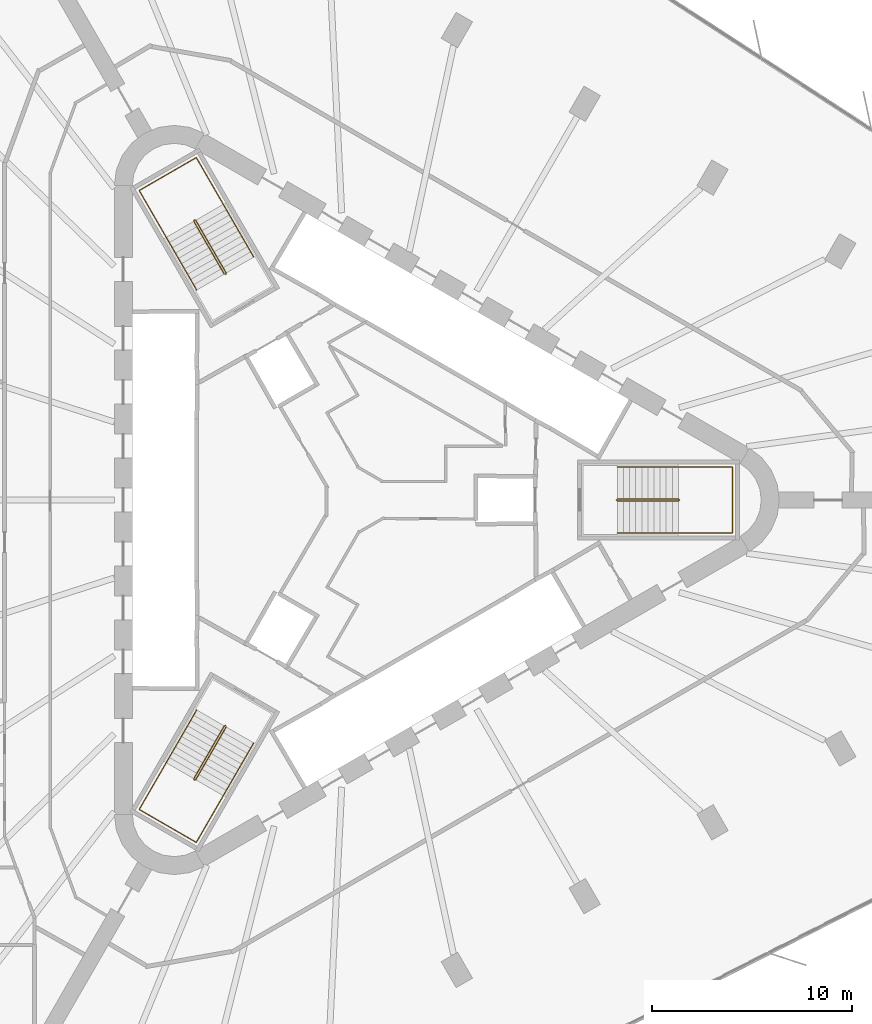
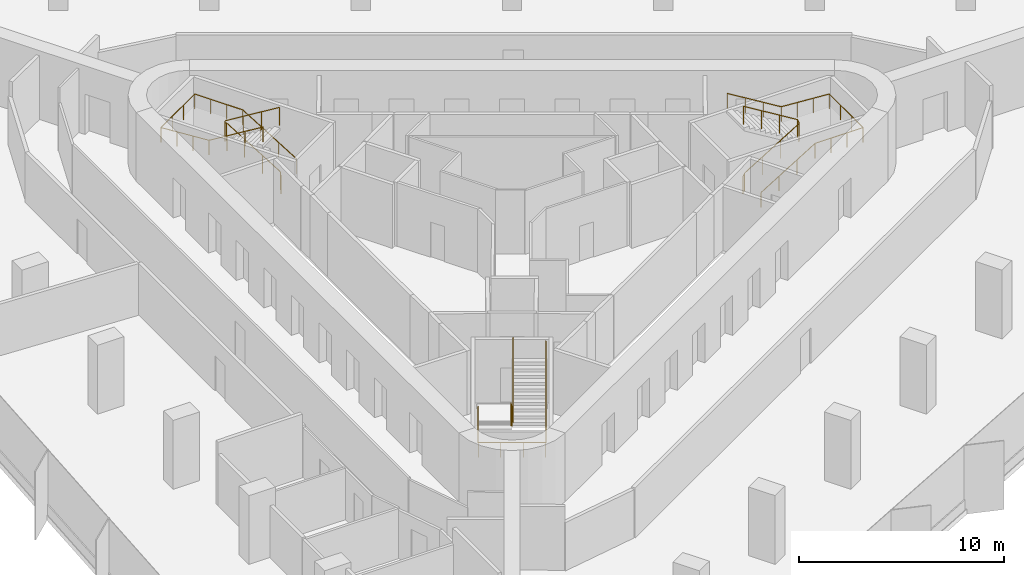
# One storey, part 14 of 14: 6 railings.
"""IFC4 building model written with IfcOpenShell, lengths in metres."""

from ifc_helpers import new_model, si_unit, direction, frame, origin, origin_2d, place, context, subcontext, project, spatial, circle, extrude, material, type_object, element, save


model = new_model("IFC4")

# Units and contexts
model_context = context("Model", 3, precision=1e-05, world=origin(), true_north=direction((0.0, 1.0)))
body_context = subcontext(model_context, "Body", "Model", "MODEL_VIEW")
ifc_project = project(units=[si_unit("LENGTHUNIT", "METRE"), si_unit("AREAUNIT", "SQUARE_METRE"), si_unit("VOLUMEUNIT", "CUBIC_METRE"), si_unit("PLANEANGLEUNIT", "RADIAN"), si_unit("MASSUNIT", "GRAM", prefix="KILO")], contexts=[model_context])

# Site, building, storey
site_placement = place(None, origin())
site = spatial("IfcSite", under=ifc_project, at=site_placement, CompositionType="ELEMENT")
building_placement = place(site_placement, origin())
building = spatial("IfcBuilding", under=site, at=building_placement, Name="Tanit Gate Tower", CompositionType="ELEMENT")
storey_placement = place(building_placement, frame((0.0, 0.0, 111.10009765625)))
storey = spatial("IfcBuildingStorey", under=building, at=storey_placement, Name="L23", CompositionType="ELEMENT", Elevation=111.10009765625)

# Railings
ifc_material_1 = material(Name="Stainless steel balustrade", Category="steel")
railing_type_1 = type_object("IfcRailingType", Name="INT-STAIR-GUARD", PredefinedType="GUARDRAIL", material=ifc_material_1)
railing_1_placement = place(storey_placement, frame((13.044921875, 0.0048828125, 0.0)))
element("IfcRailing", 1, at=railing_1_placement, inside=storey, type_object=railing_type_1, Name="L23 S1 stair guard 1", PredefinedType="GUARDRAIL", context=body_context, shape_type="SweptSolid", body=[
    extrude(circle(Radius=0.02392578125, at=origin_2d()), frame((0.0, 0.0, 1.076171875), z_axis=(0.0, -1.0, 0.0), x_axis=(1.0, 0.0, 0.0)), (0.0, 0.0, 1.0), 0.009765625),
    extrude(circle(Radius=0.02392578125, at=origin_2d()), frame((0.0, -0.009765625, 1.076171875), z_axis=(0.251157038772, -0.251157038772, 0.934794246747), x_axis=(0.707106781187, 0.707106781187, 0.0)), (0.0, 0.0, 1.0), 0.19921875),
    extrude(circle(Radius=0.02392578125, at=origin_2d()), frame((0.050048828125, -0.059814453125, 1.26220703125), z_axis=(0.853405036568, 0.0, 0.521248351134), x_axis=(0.0, 1.0, 0.0)), (0.0, 0.0, 1.0), 3.5751953125),
    extrude(circle(Radius=0.02392578125, at=origin_2d()), frame((3.10107421875, -0.059814453125, 3.1259765625), z_axis=(0.707106781187, 0.707106781187, 0.0), x_axis=(-0.707106781187, 0.707106781187, 0.0)), (0.0, 0.0, 1.0), 0.07080078125),
    extrude(circle(Radius=0.02392578125, at=origin_2d()), frame((3.151123046875, -0.009765625, 3.1259765625), z_axis=(0.0, 1.0, 0.0), x_axis=(-1.0, 0.0, 0.0)), (0.0, 0.0, 1.0), 0.009765625),
    extrude(circle(Radius=0.02392578125, at=origin_2d()), frame((3.151123046875, 0.0, 3.1259765625), z_axis=(-0.250869701741, 0.250869701741, 0.934948546978), x_axis=(-0.707106781187, -0.707106781187, 0.0)), (0.0, 0.0, 1.0), 0.199462890625),
    extrude(circle(Radius=0.02392578125, at=origin_2d()), frame((3.10107421875, 0.050048828125, 3.3125), z_axis=(-0.853405036568, 0.0, 0.521248351134), x_axis=(0.0, -1.0, 0.0)), (0.0, 0.0, 1.0), 3.5751953125),
    extrude(circle(Radius=0.02099609375, at=origin_2d()), origin(), (0.0, 0.0, 1.0), 1.052001953125),
    extrude(circle(Radius=0.02099609375, at=origin_2d()), frame((0.0, -0.009765625, 0.0)), (0.0, 0.0, 1.0), 1.052001953125),
    extrude(circle(Radius=0.02099609375, at=origin_2d()), frame((0.050048828125, -0.059814453125, 0.186279296875)), (0.0, 0.0, 1.0), 1.052001953125),
    extrude(circle(Radius=0.02099609375, at=origin_2d()), frame((1.067138671875, -0.059814453125, 0.807373046875)), (0.0, 0.0, 1.0), 1.052001953125),
    extrude(circle(Radius=0.02099609375, at=origin_2d()), frame((2.083984375, -0.059814453125, 1.4287109375)), (0.0, 0.0, 1.0), 1.052001953125),
    extrude(circle(Radius=0.02099609375, at=origin_2d()), frame((3.10107421875, -0.059814453125, 2.0498046875)), (0.0, 0.0, 1.0), 1.052001953125),
    extrude(circle(Radius=0.02099609375, at=origin_2d()), frame((3.151123046875, -0.009765625, 2.0498046875)), (0.0, 0.0, 1.0), 1.052001953125),
    extrude(circle(Radius=0.02099609375, at=origin_2d()), frame((3.151123046875, 0.0, 2.0498046875)), (0.0, 0.0, 1.0), 1.052001953125),
    extrude(circle(Radius=0.02099609375, at=origin_2d()), frame((3.10107421875, 0.050048828125, 2.236328125)), (0.0, 0.0, 1.0), 1.052001953125),
    extrude(circle(Radius=0.02099609375, at=origin_2d()), frame((2.083984375, 0.050048828125, 2.857421875)), (0.0, 0.0, 1.0), 1.052001953125),
    extrude(circle(Radius=0.02099609375, at=origin_2d()), frame((1.067138671875, 0.050048828125, 3.478759765625)), (0.0, 0.0, 1.0), 1.052001953125),
    extrude(circle(Radius=0.02099609375, at=origin_2d()), frame((0.050048828125, 0.050048828125, 4.099853515625)), (0.0, 0.0, 1.0), 1.052001953125),
])
railing_2_placement = place(storey_placement, frame((-6.527099609375, 11.29345703125, 0.0)))
element("IfcRailing", 2, at=railing_2_placement, inside=storey, type_object=railing_type_1, Name="L23 S2 stair guard 1", PredefinedType="GUARDRAIL", context=body_context, shape_type="SweptSolid", body=[
    extrude(circle(Radius=0.02392578125, at=origin_2d()), frame((0.0, 0.0, 1.076171875), z_axis=(0.868243142124, 0.496138938357, 0.0), x_axis=(-0.496138938357, 0.868243142124, 0.0)), (0.0, 0.0, 1.0), 0.01171875),
    extrude(circle(Radius=0.02392578125, at=origin_2d()), frame((0.01025390625, 0.005859375, 1.076171875), z_axis=(0.091888445584, 0.343050196848, 0.93481178641), x_axis=(-0.965948051503, 0.258736085224, 0.0)), (0.0, 0.0, 1.0), 0.19921875),
    extrude(circle(Radius=0.02392578125, at=origin_2d()), frame((0.028564453125, 0.07421875, 1.26220703125), z_axis=(-0.426651696395, 0.73893750972, 0.521478366466), x_axis=(-0.866012246495, -0.500022788402, 0.0)), (0.0, 0.0, 1.0), 3.573486328125),
    extrude(circle(Radius=0.02392578125, at=origin_2d()), frame((-1.49609375, 2.71484375, 3.1259765625), z_axis=(-0.965715946433, 0.259601060869, 0.0), x_axis=(-0.259601060869, -0.965715946433, 0.0)), (0.0, 0.0, 1.0), 0.070556640625),
    extrude(circle(Radius=0.02392578125, at=origin_2d()), frame((-1.564208984375, 2.733154296875, 3.1259765625), z_axis=(-0.873197702015, -0.487366159264, 0.0), x_axis=(0.487366159264, -0.873197702015, 0.0)), (0.0, 0.0, 1.0), 0.011962890625),
    extrude(circle(Radius=0.02392578125, at=origin_2d()), frame((-1.57470703125, 2.727294921875, 3.1259765625), z_axis=(-0.09178331637, -0.342657714447, 0.934966049419), x_axis=(0.965948051503, -0.258736085224, 0.0)), (0.0, 0.0, 1.0), 0.199462890625),
    extrude(circle(Radius=0.02392578125, at=origin_2d()), frame((-1.593017578125, 2.658935546875, 3.3125), z_axis=(0.426651696395, -0.73893750972, 0.521478366466), x_axis=(0.866012246495, 0.500022788402, 0.0)), (0.0, 0.0, 1.0), 3.573486328125),
    extrude(circle(Radius=0.02099609375, at=origin_2d()), origin(), (0.0, 0.0, 1.0), 1.052001953125),
    extrude(circle(Radius=0.02099609375, at=origin_2d()), frame((0.01025390625, 0.005859375, 0.0)), (0.0, 0.0, 1.0), 1.052001953125),
    extrude(circle(Radius=0.02099609375, at=origin_2d()), frame((0.028564453125, 0.07421875, 0.186279296875)), (0.0, 0.0, 1.0), 1.052001953125),
    extrude(circle(Radius=0.02099609375, at=origin_2d()), frame((-0.479736328125, 0.954345703125, 0.807373046875)), (0.0, 0.0, 1.0), 1.052001953125),
    extrude(circle(Radius=0.02099609375, at=origin_2d()), frame((-0.98779296875, 1.834716796875, 1.4287109375)), (0.0, 0.0, 1.0), 1.052001953125),
    extrude(circle(Radius=0.02099609375, at=origin_2d()), frame((-1.49609375, 2.71484375, 2.0498046875)), (0.0, 0.0, 1.0), 1.052001953125),
    extrude(circle(Radius=0.02099609375, at=origin_2d()), frame((-1.564208984375, 2.733154296875, 2.0498046875)), (0.0, 0.0, 1.0), 1.052001953125),
    extrude(circle(Radius=0.02099609375, at=origin_2d()), frame((-1.57470703125, 2.727294921875, 2.0498046875)), (0.0, 0.0, 1.0), 1.052001953125),
    extrude(circle(Radius=0.02099609375, at=origin_2d()), frame((-1.593017578125, 2.658935546875, 2.236328125)), (0.0, 0.0, 1.0), 1.052001953125),
    extrude(circle(Radius=0.02099609375, at=origin_2d()), frame((-1.084716796875, 1.77880859375, 2.857421875)), (0.0, 0.0, 1.0), 1.052001953125),
    extrude(circle(Radius=0.02099609375, at=origin_2d()), frame((-0.57666015625, 0.8984375, 3.478759765625)), (0.0, 0.0, 1.0), 1.052001953125),
    extrude(circle(Radius=0.02099609375, at=origin_2d()), frame((-0.068359375, 0.018310546875, 4.099853515625)), (0.0, 0.0, 1.0), 1.052001953125),
])
railing_3_placement = place(storey_placement, frame((-6.51806640625, -11.2998046875, 0.0)))
element("IfcRailing", 3, at=railing_3_placement, inside=storey, type_object=railing_type_1, Name="L23 S3 stair guard 1", PredefinedType="GUARDRAIL", context=body_context, shape_type="SweptSolid", body=[
    extrude(circle(Radius=0.02392578125, at=origin_2d()), frame((0.0, 0.0, 1.076171875), z_axis=(-0.874157276122, 0.485642931179, 0.0), x_axis=(-0.485642931179, -0.874157276122, 0.0)), (0.0, 0.0, 1.0), 0.010009765625),
    extrude(circle(Radius=0.02392578125, at=origin_2d()), frame((-0.0087890625, 0.0048828125, 1.076171875), z_axis=(-0.343088566343, -0.090673406819, 0.934916343285), x_axis=(0.255512919477, -0.966805641264, 0.0)), (0.0, 0.0, 1.0), 0.19921875),
    extrude(circle(Radius=0.02392578125, at=origin_2d()), frame((-0.0771484375, -0.01318359375, 1.26220703125), z_axis=(-0.426668548982, -0.73908990167, 0.521248565042), x_axis=(0.866048339477, -0.499960272111, 0.0)), (0.0, 0.0, 1.0), 3.5751953125),
    extrude(circle(Radius=0.02392578125, at=origin_2d()), frame((-1.6025390625, -2.655517578125, 3.1259765625), z_axis=(0.258736085224, -0.965948051503, 0.0), x_axis=(0.965948051503, 0.258736085224, 0.0)), (0.0, 0.0, 1.0), 0.07080078125),
    extrude(circle(Radius=0.02392578125, at=origin_2d()), frame((-1.584228515625, -2.723876953125, 3.1259765625), z_axis=(0.868243142124, -0.496138938357, 0.0), x_axis=(0.496138938357, 0.868243142124, 0.0)), (0.0, 0.0, 1.0), 0.009765625),
    extrude(circle(Radius=0.02392578125, at=origin_2d()), frame((-1.57568359375, -2.728759765625, 3.1259765625), z_axis=(0.342657714447, 0.09178331637, 0.934966049419), x_axis=(-0.258736085224, 0.965948051503, 0.0)), (0.0, 0.0, 1.0), 0.199462890625),
    extrude(circle(Radius=0.02392578125, at=origin_2d()), frame((-1.50732421875, -2.71044921875, 3.3125), z_axis=(0.426745940485, 0.73903737685, 0.521259683745), x_axis=(-0.865993683553, 0.500054937028, 0.0)), (0.0, 0.0, 1.0), 3.574951171875),
    extrude(circle(Radius=0.02099609375, at=origin_2d()), origin(), (0.0, 0.0, 1.0), 1.052001953125),
    extrude(circle(Radius=0.02099609375, at=origin_2d()), frame((-0.0087890625, 0.0048828125, 0.0)), (0.0, 0.0, 1.0), 1.052001953125),
    extrude(circle(Radius=0.02099609375, at=origin_2d()), frame((-0.0771484375, -0.01318359375, 0.186279296875)), (0.0, 0.0, 1.0), 1.052001953125),
    extrude(circle(Radius=0.02099609375, at=origin_2d()), frame((-0.585693359375, -0.89404296875, 0.807373046875)), (0.0, 0.0, 1.0), 1.052001953125),
    extrude(circle(Radius=0.02099609375, at=origin_2d()), frame((-1.093994140625, -1.774658203125, 1.4287109375)), (0.0, 0.0, 1.0), 1.052001953125),
    extrude(circle(Radius=0.02099609375, at=origin_2d()), frame((-1.6025390625, -2.655517578125, 2.0498046875)), (0.0, 0.0, 1.0), 1.052001953125),
    extrude(circle(Radius=0.02099609375, at=origin_2d()), frame((-1.584228515625, -2.723876953125, 2.0498046875)), (0.0, 0.0, 1.0), 1.052001953125),
    extrude(circle(Radius=0.02099609375, at=origin_2d()), frame((-1.57568359375, -2.728759765625, 2.0498046875)), (0.0, 0.0, 1.0), 1.052001953125),
    extrude(circle(Radius=0.02099609375, at=origin_2d()), frame((-1.50732421875, -2.71044921875, 2.236328125)), (0.0, 0.0, 1.0), 1.052001953125),
    extrude(circle(Radius=0.02099609375, at=origin_2d()), frame((-0.998779296875, -1.829833984375, 2.857421875)), (0.0, 0.0, 1.0), 1.052001953125),
    extrude(circle(Radius=0.02099609375, at=origin_2d()), frame((-0.490234375, -0.948974609375, 3.478759765625)), (0.0, 0.0, 1.0), 1.052001953125),
    extrude(circle(Radius=0.02099609375, at=origin_2d()), frame((0.018310546875, -0.068359375, 4.099853515625)), (0.0, 0.0, 1.0), 1.052001953125),
])
ifc_material_2 = material(Name="Stainless steel handrail", Category="steel")
railing_type_2 = type_object("IfcRailingType", Name="INT-STAIR-HANDRAIL", PredefinedType="HANDRAIL", material=ifc_material_2)
railing_4_placement = place(storey_placement, frame((13.094970703125, -1.64990234375, 0.186279296875)))
element("IfcRailing", 4, at=railing_4_placement, inside=storey, type_object=railing_type_2, Name="L23 S1 stair handrail 1", PredefinedType="HANDRAIL", context=body_context, shape_type="SweptSolid", body=[
    extrude(circle(Radius=0.02392578125, at=origin_2d()), frame((0.0, 0.0, 0.8759765625), z_axis=(0.853405036568, 0.0, 0.521248351134), x_axis=(0.0, 1.0, 0.0)), (0.0, 0.0, 1.0), 3.5751953125),
    extrude(circle(Radius=0.02392578125, at=origin_2d()), frame((3.051025390625, 0.0, 2.7392578125), z_axis=(1.0, 0.0, 0.0), x_axis=(0.0, 1.0, 0.0)), (0.0, 0.0, 1.0), 2.7041015625),
    extrude(circle(Radius=0.02392578125, at=origin_2d()), frame((5.755126953125, 0.0, 2.7392578125), z_axis=(0.0, 1.0, 0.0), x_axis=(-1.0, 0.0, 0.0)), (0.0, 0.0, 1.0), 3.2998046875),
    extrude(circle(Radius=0.02392578125, at=origin_2d()), frame((5.755126953125, 3.2998046875, 2.7392578125), z_axis=(-0.997629475601, 0.0, 0.068814456425), x_axis=(0.0, -1.0, 0.0)), (0.0, 0.0, 1.0), 2.71044921875),
    extrude(circle(Radius=0.02392578125, at=origin_2d()), frame((3.051025390625, 3.2998046875, 2.92578125), z_axis=(-0.853405036568, 0.0, 0.521248351134), x_axis=(0.0, -1.0, 0.0)), (0.0, 0.0, 1.0), 3.5751953125),
    extrude(circle(Radius=0.02099609375, at=origin_2d()), origin(), (0.0, 0.0, 1.0), 0.851806640625),
    extrude(circle(Radius=0.02099609375, at=origin_2d()), frame((1.01708984375, 0.0, 0.62109375)), (0.0, 0.0, 1.0), 0.851806640625),
    extrude(circle(Radius=0.02099609375, at=origin_2d()), frame((2.033935546875, 0.0, 1.242431640625)), (0.0, 0.0, 1.0), 0.851806640625),
    extrude(circle(Radius=0.02099609375, at=origin_2d()), frame((3.051025390625, 0.0, 1.863525390625)), (0.0, 0.0, 1.0), 0.851806640625),
    extrude(circle(Radius=0.02099609375, at=origin_2d()), frame((3.952392578125, 0.0, 1.863525390625)), (0.0, 0.0, 1.0), 0.851806640625),
    extrude(circle(Radius=0.02099609375, at=origin_2d()), frame((4.853759765625, 0.0, 1.863525390625)), (0.0, 0.0, 1.0), 0.851806640625),
    extrude(circle(Radius=0.02099609375, at=origin_2d()), frame((5.755126953125, 0.0, 1.863525390625)), (0.0, 0.0, 1.0), 0.851806640625),
    extrude(circle(Radius=0.02099609375, at=origin_2d()), frame((5.755126953125, 1.099853515625, 1.863525390625)), (0.0, 0.0, 1.0), 0.851806640625),
    extrude(circle(Radius=0.02099609375, at=origin_2d()), frame((5.755126953125, 2.199951171875, 1.863525390625)), (0.0, 0.0, 1.0), 0.851806640625),
    extrude(circle(Radius=0.02099609375, at=origin_2d()), frame((5.755126953125, 3.2998046875, 1.863525390625)), (0.0, 0.0, 1.0), 0.851806640625),
    extrude(circle(Radius=0.02099609375, at=origin_2d()), frame((4.853759765625, 3.2998046875, 1.92578125)), (0.0, 0.0, 1.0), 0.851806640625),
    extrude(circle(Radius=0.02099609375, at=origin_2d()), frame((3.952392578125, 3.2998046875, 1.98779296875)), (0.0, 0.0, 1.0), 0.851806640625),
    extrude(circle(Radius=0.02099609375, at=origin_2d()), frame((3.051025390625, 3.2998046875, 2.050048828125)), (0.0, 0.0, 1.0), 0.851806640625),
    extrude(circle(Radius=0.02099609375, at=origin_2d()), frame((2.033935546875, 3.2998046875, 2.671142578125)), (0.0, 0.0, 1.0), 0.851806640625),
    extrude(circle(Radius=0.02099609375, at=origin_2d()), frame((1.01708984375, 3.2998046875, 3.29248046875)), (0.0, 0.0, 1.0), 0.851806640625),
    extrude(circle(Radius=0.02099609375, at=origin_2d()), frame((0.0, 3.2998046875, 3.91357421875)), (0.0, 0.0, 1.0), 0.851806640625),
])
railing_5_placement = place(storey_placement, frame((-5.1181640625, 12.164794921875, 0.186279296875)))
element("IfcRailing", 5, at=railing_5_placement, inside=storey, type_object=railing_type_2, Name="L23 S2 stair handrail 1", PredefinedType="HANDRAIL", context=body_context, shape_type="SweptSolid", body=[
    extrude(circle(Radius=0.02392578125, at=origin_2d()), frame((0.0, 0.0, 0.8759765625), z_axis=(-0.426595811233, 0.738959047773, 0.521493566166), x_axis=(-0.866046917185, -0.499962735845, 0.0)), (0.0, 0.0, 1.0), 3.573486328125),
    extrude(circle(Radius=0.02392578125, at=origin_2d()), frame((-1.5244140625, 2.640625, 2.7392578125), z_axis=(-0.500019123664, 0.86601436245, 0.0), x_axis=(-0.86601436245, -0.500019123664, 0.0)), (0.0, 0.0, 1.0), 2.70703125),
    extrude(circle(Radius=0.02392578125, at=origin_2d()), frame((-2.8779296875, 4.98486328125, 2.7392578125), z_axis=(-0.866008176907, -0.50002983664, 0.0), x_axis=(0.50002983664, -0.866008176907, 0.0)), (0.0, 0.0, 1.0), 3.300048828125),
    extrude(circle(Radius=0.02392578125, at=origin_2d()), frame((-5.73583984375, 3.334716796875, 2.7392578125), z_axis=(0.498875061953, -0.86394290581, 0.068748294973), x_axis=(0.865991810323, 0.500058181068, 0.0)), (0.0, 0.0, 1.0), 2.713134765625),
    extrude(circle(Radius=0.02392578125, at=origin_2d()), frame((-4.38232421875, 0.99072265625, 2.92578125), z_axis=(0.426630158194, -0.738968522208, 0.521452041232), x_axis=(0.866032263162, 0.499988119021, 0.0)), (0.0, 0.0, 1.0), 3.57373046875),
    extrude(circle(Radius=0.02099609375, at=origin_2d()), origin(), (0.0, 0.0, 1.0), 0.851806640625),
    extrude(circle(Radius=0.02099609375, at=origin_2d()), frame((-0.508056640625, 0.880126953125, 0.62109375)), (0.0, 0.0, 1.0), 0.851806640625),
    extrude(circle(Radius=0.02099609375, at=origin_2d()), frame((-1.016357421875, 1.760498046875, 1.242431640625)), (0.0, 0.0, 1.0), 0.851806640625),
    extrude(circle(Radius=0.02099609375, at=origin_2d()), frame((-1.5244140625, 2.640625, 1.863525390625)), (0.0, 0.0, 1.0), 0.851806640625),
    extrude(circle(Radius=0.02099609375, at=origin_2d()), frame((-1.9755859375, 3.422119140625, 1.863525390625)), (0.0, 0.0, 1.0), 0.851806640625),
    extrude(circle(Radius=0.02099609375, at=origin_2d()), frame((-2.4267578125, 4.203369140625, 1.863525390625)), (0.0, 0.0, 1.0), 0.851806640625),
    extrude(circle(Radius=0.02099609375, at=origin_2d()), frame((-2.8779296875, 4.98486328125, 1.863525390625)), (0.0, 0.0, 1.0), 0.851806640625),
    extrude(circle(Radius=0.02099609375, at=origin_2d()), frame((-3.83056640625, 4.434814453125, 1.863525390625)), (0.0, 0.0, 1.0), 0.851806640625),
    extrude(circle(Radius=0.02099609375, at=origin_2d()), frame((-4.783203125, 3.884765625, 1.863525390625)), (0.0, 0.0, 1.0), 0.851806640625),
    extrude(circle(Radius=0.02099609375, at=origin_2d()), frame((-5.73583984375, 3.334716796875, 1.863525390625)), (0.0, 0.0, 1.0), 0.851806640625),
    extrude(circle(Radius=0.02099609375, at=origin_2d()), frame((-5.28466796875, 2.553466796875, 1.92578125)), (0.0, 0.0, 1.0), 0.851806640625),
    extrude(circle(Radius=0.02099609375, at=origin_2d()), frame((-4.83349609375, 1.77197265625, 1.98779296875)), (0.0, 0.0, 1.0), 0.851806640625),
    extrude(circle(Radius=0.02099609375, at=origin_2d()), frame((-4.38232421875, 0.99072265625, 2.050048828125)), (0.0, 0.0, 1.0), 0.851806640625),
    extrude(circle(Radius=0.02099609375, at=origin_2d()), frame((-3.8740234375, 0.1103515625, 2.671142578125)), (0.0, 0.0, 1.0), 0.851806640625),
    extrude(circle(Radius=0.02099609375, at=origin_2d()), frame((-3.365966796875, -0.769775390625, 3.29248046875)), (0.0, 0.0, 1.0), 0.851806640625),
    extrude(circle(Radius=0.02099609375, at=origin_2d()), frame((-2.857666015625, -1.650146484375, 3.91357421875)), (0.0, 0.0, 1.0), 0.851806640625),
])
railing_6_placement = place(storey_placement, frame((-7.9765625, -10.515625, 0.186279296875)))
element("IfcRailing", 6, at=railing_6_placement, inside=storey, type_object=railing_type_2, Name="L23 S3 stair handrail 1", PredefinedType="HANDRAIL", context=body_context, shape_type="SweptSolid", body=[
    extrude(circle(Radius=0.02392578125, at=origin_2d()), frame((0.0, 0.0, 0.8759765625), z_axis=(-0.426668548982, -0.73908990167, 0.521248565042), x_axis=(0.866048339477, -0.499960272111, 0.0)), (0.0, 0.0, 1.0), 3.5751953125),
    extrude(circle(Radius=0.02392578125, at=origin_2d()), frame((-1.525390625, -2.642333984375, 2.7392578125), z_axis=(-0.50004290449, -0.866000631449, 0.0), x_axis=(0.866000631449, -0.50004290449, 0.0)), (0.0, 0.0, 1.0), 2.703857421875),
    extrude(circle(Radius=0.02392578125, at=origin_2d()), frame((-2.87744140625, -4.98388671875, 2.7392578125), z_axis=(0.866008176907, -0.50002983664, 0.0), x_axis=(0.50002983664, 0.866008176907, 0.0)), (0.0, 0.0, 1.0), 3.300048828125),
    extrude(circle(Radius=0.02392578125, at=origin_2d()), frame((-0.01953125, -6.634033203125, 2.7392578125), z_axis=(0.498818517556, 0.863970245648, 0.068814977864), x_axis=(-0.866023205937, 0.500003806764, 0.0)), (0.0, 0.0, 1.0), 2.71044921875),
    extrude(circle(Radius=0.02392578125, at=origin_2d()), frame((1.33251953125, -4.292236328125, 2.92578125), z_axis=(0.426668548982, 0.73908990167, 0.521248565042), x_axis=(-0.866048339477, 0.499960272111, 0.0)), (0.0, 0.0, 1.0), 3.5751953125),
    extrude(circle(Radius=0.02099609375, at=origin_2d()), origin(), (0.0, 0.0, 1.0), 0.851806640625),
    extrude(circle(Radius=0.02099609375, at=origin_2d()), frame((-0.508544921875, -0.880859375, 0.62109375)), (0.0, 0.0, 1.0), 0.851806640625),
    extrude(circle(Radius=0.02099609375, at=origin_2d()), frame((-1.016845703125, -1.761474609375, 1.242431640625)), (0.0, 0.0, 1.0), 0.851806640625),
    extrude(circle(Radius=0.02099609375, at=origin_2d()), frame((-1.525390625, -2.642333984375, 1.863525390625)), (0.0, 0.0, 1.0), 0.851806640625),
    extrude(circle(Radius=0.02099609375, at=origin_2d()), frame((-1.97607421875, -3.4228515625, 1.863525390625)), (0.0, 0.0, 1.0), 0.851806640625),
    extrude(circle(Radius=0.02099609375, at=origin_2d()), frame((-2.4267578125, -4.203369140625, 1.863525390625)), (0.0, 0.0, 1.0), 0.851806640625),
    extrude(circle(Radius=0.02099609375, at=origin_2d()), frame((-2.87744140625, -4.98388671875, 1.863525390625)), (0.0, 0.0, 1.0), 0.851806640625),
    extrude(circle(Radius=0.02099609375, at=origin_2d()), frame((-1.9248046875, -5.533935546875, 1.863525390625)), (0.0, 0.0, 1.0), 0.851806640625),
    extrude(circle(Radius=0.02099609375, at=origin_2d()), frame((-0.97216796875, -6.083984375, 1.863525390625)), (0.0, 0.0, 1.0), 0.851806640625),
    extrude(circle(Radius=0.02099609375, at=origin_2d()), frame((-0.01953125, -6.634033203125, 1.863525390625)), (0.0, 0.0, 1.0), 0.851806640625),
    extrude(circle(Radius=0.02099609375, at=origin_2d()), frame((0.43115234375, -5.853515625, 1.92578125)), (0.0, 0.0, 1.0), 0.851806640625),
    extrude(circle(Radius=0.02099609375, at=origin_2d()), frame((0.8818359375, -5.07275390625, 1.98779296875)), (0.0, 0.0, 1.0), 0.851806640625),
    extrude(circle(Radius=0.02099609375, at=origin_2d()), frame((1.33251953125, -4.292236328125, 2.050048828125)), (0.0, 0.0, 1.0), 0.851806640625),
    extrude(circle(Radius=0.02099609375, at=origin_2d()), frame((1.841064453125, -3.411376953125, 2.671142578125)), (0.0, 0.0, 1.0), 0.851806640625),
    extrude(circle(Radius=0.02099609375, at=origin_2d()), frame((2.349365234375, -2.53076171875, 3.29248046875)), (0.0, 0.0, 1.0), 0.851806640625),
    extrude(circle(Radius=0.02099609375, at=origin_2d()), frame((2.85791015625, -1.64990234375, 3.91357421875)), (0.0, 0.0, 1.0), 0.851806640625),
])

save(model, "model.ifc")
